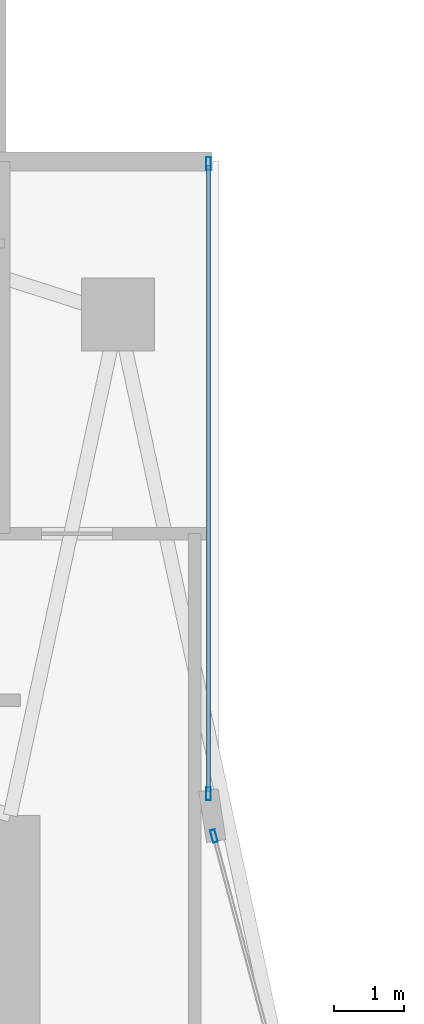
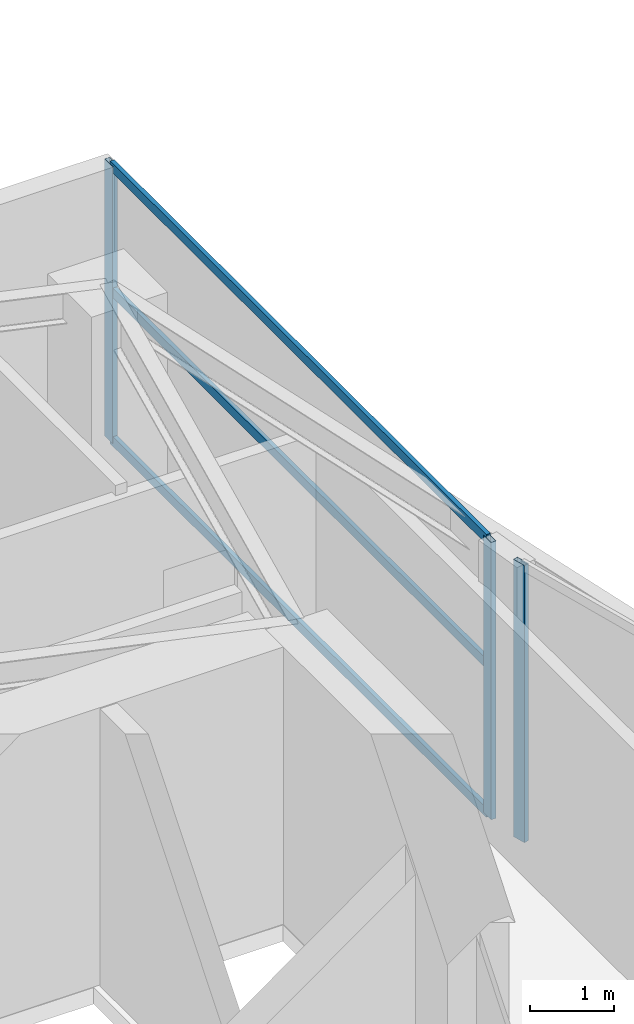
# One storey, part 20 of 30: 6 members, 2 elements without a shape of their own.
"""IFC4 building model written with IfcOpenShell, lengths in metres."""

from ifc_helpers import new_model, si_unit, direction, frame, origin, origin_2d, place, context, subcontext, project, spatial, hollow_rectangle, extrude, material, layer, layer_set, material_profile, profile_set, type_object, element, aggregate, save


model = new_model("IFC4")

# Units and contexts
model_context = context("Model", 3, precision=1e-05, world=origin(), true_north=direction((0.0, 1.0)))
body_context = subcontext(model_context, "Body", "Model", "MODEL_VIEW")
ifc_project = project(units=[si_unit("LENGTHUNIT", "METRE"), si_unit("AREAUNIT", "SQUARE_METRE"), si_unit("VOLUMEUNIT", "CUBIC_METRE"), si_unit("PLANEANGLEUNIT", "RADIAN"), si_unit("MASSUNIT", "GRAM", prefix="KILO")], contexts=[model_context])

# Site, building, storey
site_placement = place(None, origin())
site = spatial("IfcSite", under=ifc_project, at=site_placement, CompositionType="ELEMENT")
building_placement = place(site_placement, origin())
building = spatial("IfcBuilding", under=site, at=building_placement, Name="Calvorn Quay Hotel", CompositionType="ELEMENT")
storey_placement = place(building_placement, frame((0.0, 0.0, 195.10009765625)))
storey = spatial("IfcBuildingStorey", under=building, at=storey_placement, Name="L48", CompositionType="ELEMENT", Elevation=195.10009765625)

# Curtain wall, member
ifc_material_1 = material(Name="Champagne Bronze Anodised Aluminium and Low-E Glass", Category="aluminium")
ifc_layer = layer(ifc_material_1, 0.219970703125)
ifc_layer_set = layer_set([ifc_layer], Name="CW-SYS-Z3")
curtain_wall_type = type_object("IfcCurtainWallType", Name="CW-SYS-Z3", PredefinedType="NOTDEFINED", material=ifc_layer_set)
curtain_wall_1_placement = place(storey_placement, origin())
curtain_wall_1 = element("IfcCurtainWall", 1, at=curtain_wall_1_placement, inside=storey, type_object=curtain_wall_type, Name="Inner Court Curtain Wall L48-IC1", PredefinedType="NOTDEFINED")
ifc_material_2 = material(Name="Champagne Bronze Anodised Aluminium 6063-T6", Category="aluminium")
ifc_material_profile_1 = material_profile(ifc_material_2, hollow_rectangle(XDim=0.068115234375, YDim=0.18505859375, WallThickness=0.00390625, at=origin_2d()), Name="ALU-M185x68x4")
ifc_profile_set_1 = profile_set([ifc_material_profile_1], Name="Champagne Bronze Anodised Aluminium 6063-T6")
member_type_1 = type_object("IfcMemberType", Name="CW-SYS-Z3-MUL", PredefinedType="MULLION", material=ifc_profile_set_1)
member_1_placement = place(storey_placement, frame((17.9296875, 38.10107421875, 0.0), z_axis=(0.0, 0.0, 1.0), x_axis=(-0.96593652056, -0.25877913024, 0.0)))
member_1 = element("IfcMember", 2, at=member_1_placement, type_object=member_type_1, Name="CW-L48-IC1 mullion 2", PredefinedType="MULLION", context=body_context, shape_type="SweptSolid", body=[
    extrude(hollow_rectangle(XDim=0.068115234375, YDim=0.18505859375, WallThickness=0.00390625, at=origin_2d()), origin(), (0.0, 0.0, 1.0), 4.0498046875),
])
aggregate(curtain_wall_1, [member_1])

# Curtain wall, members
curtain_wall_2_placement = place(storey_placement, origin())
curtain_wall_2 = element("IfcCurtainWall", 3, at=curtain_wall_2_placement, inside=storey, type_object=curtain_wall_type, Name="Inner Court Curtain Wall L48-IC2", PredefinedType="NOTDEFINED")
member_2_placement = place(storey_placement, frame((17.85009765625, 38.7099609375, 0.0), z_axis=(0.0, 0.0, 1.0), x_axis=(-1.0, 0.0, 0.0)))
member_2 = element("IfcMember", 4, at=member_2_placement, type_object=member_type_1, Name="CW-L48-IC2 mullion 1", PredefinedType="MULLION", context=body_context, shape_type="SweptSolid", body=[
    extrude(hollow_rectangle(XDim=0.068115234375, YDim=0.18505859375, WallThickness=0.00390625, at=origin_2d()), origin(), (0.0, 0.0, 1.0), 4.0498046875),
])
member_3_placement = place(storey_placement, frame((17.85009765625, 47.77001953125, 0.0), z_axis=(0.0, 0.0, 1.0), x_axis=(-1.0, 0.0, 0.0)))
member_3 = element("IfcMember", 5, at=member_3_placement, type_object=member_type_1, Name="CW-L48-IC2 mullion 2", PredefinedType="MULLION", context=body_context, shape_type="SweptSolid", body=[
    extrude(hollow_rectangle(XDim=0.068115234375, YDim=0.18505859375, WallThickness=0.00390625, at=origin_2d()), origin(), (0.0, 0.0, 1.0), 4.0498046875),
])
ifc_material_3 = material(Name="Champagne Bronze Anodised Aluminium 6063-T6", Category="aluminium")
ifc_material_profile_2 = material_profile(ifc_material_3, hollow_rectangle(XDim=0.05810546875, YDim=0.139892578125, WallThickness=0.003173828125, at=origin_2d()), Name="ALU-T140x58x3.2")
ifc_profile_set_2 = profile_set([ifc_material_profile_2], Name="Champagne Bronze Anodised Aluminium 6063-T6")
member_type_2 = type_object("IfcMemberType", Name="CW-SYS-Z3-TRN", PredefinedType="USERDEFINED", material=ifc_profile_set_2)
member_4_placement = place(storey_placement, frame((17.85009765625, 38.739990234375, 0.02978515625), z_axis=(0.0, 1.0, 0.0), x_axis=(-1.0, 0.0, 0.0)))
member_4 = element("IfcMember", 6, at=member_4_placement, type_object=member_type_2, Name="CW-L48-IC2 transom 1.1", ObjectType="TRANSOM", PredefinedType="USERDEFINED", context=body_context, shape_type="SweptSolid", body=[
    extrude(hollow_rectangle(XDim=0.05810546875, YDim=0.139892578125, WallThickness=0.003173828125, at=origin_2d()), origin(), (0.0, 0.0, 1.0), 9.0),
])
member_5_placement = place(storey_placement, frame((17.85009765625, 38.739990234375, 2.199951171875), z_axis=(0.0, 1.0, 0.0), x_axis=(-1.0, 0.0, 0.0)))
member_5 = element("IfcMember", 7, at=member_5_placement, type_object=member_type_2, Name="CW-L48-IC2 transom 1.2", ObjectType="TRANSOM", PredefinedType="USERDEFINED", context=body_context, shape_type="SweptSolid", body=[
    extrude(hollow_rectangle(XDim=0.05810546875, YDim=0.139892578125, WallThickness=0.003173828125, at=origin_2d()), origin(), (0.0, 0.0, 1.0), 9.0),
])
member_6_placement = place(storey_placement, frame((17.85009765625, 38.739990234375, 4.02001953125), z_axis=(0.0, 1.0, 0.0), x_axis=(-1.0, 0.0, 0.0)))
member_6 = element("IfcMember", 8, at=member_6_placement, type_object=member_type_2, Name="CW-L48-IC2 transom 1.3", ObjectType="TRANSOM", PredefinedType="USERDEFINED", context=body_context, shape_type="SweptSolid", body=[
    extrude(hollow_rectangle(XDim=0.05810546875, YDim=0.139892578125, WallThickness=0.003173828125, at=origin_2d()), origin(), (0.0, 0.0, 1.0), 9.0),
])
aggregate(curtain_wall_2, [member_2, member_3, member_4, member_5, member_6])

save(model, "model.ifc")
